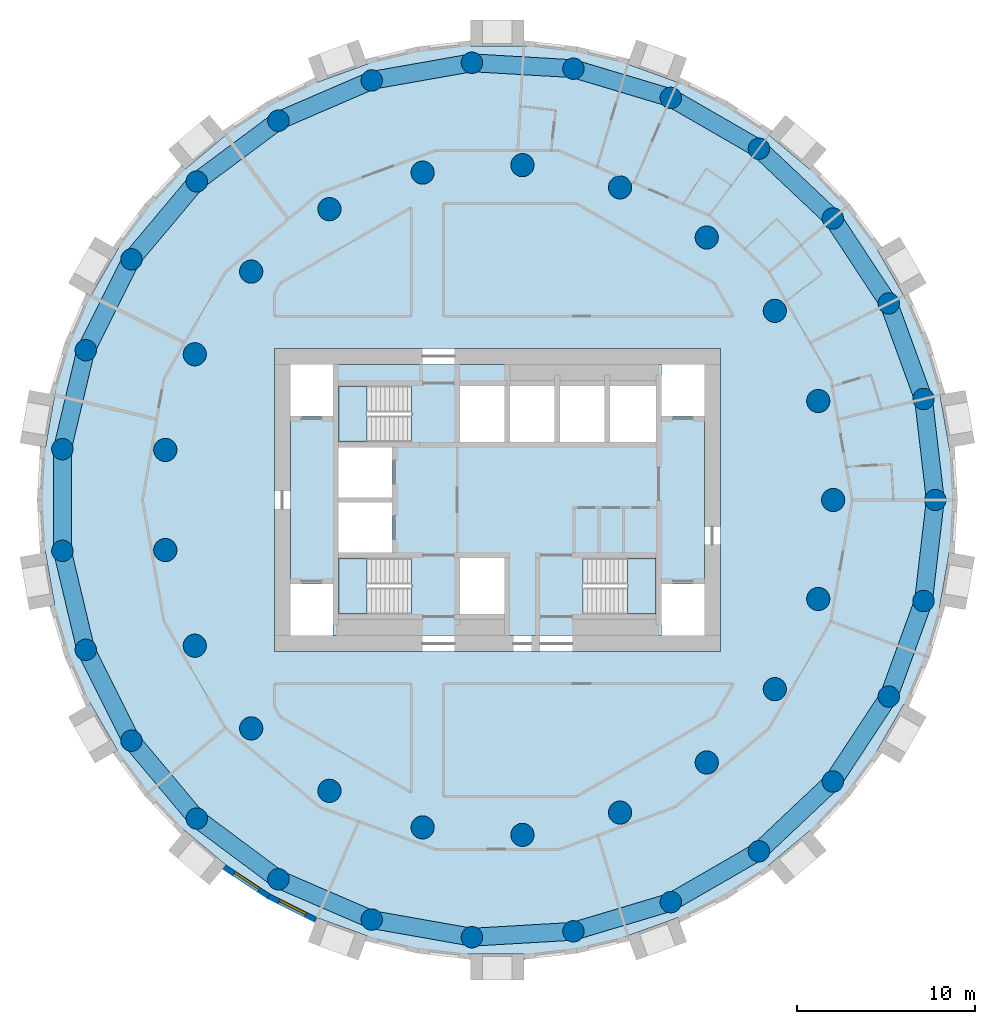
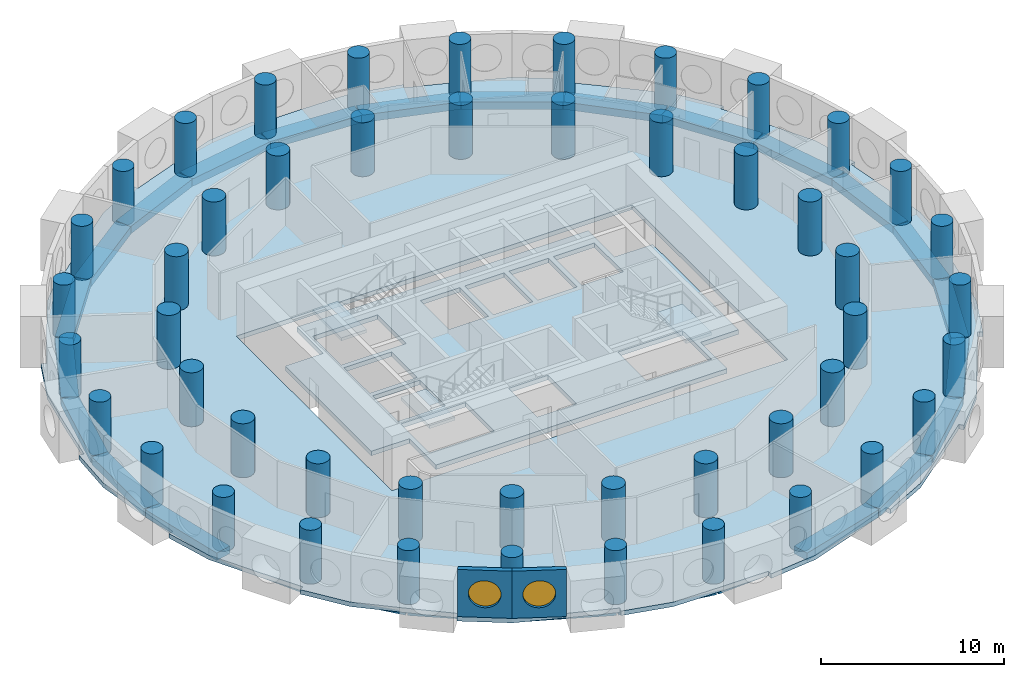
# One storey, part 1 of 9: 48 columns, 27 beams, 5 slabs, 2 walls, 2 windows, 2 openings, 3 elements without a shape of their own.
"""IFC4 building model written with IfcOpenShell, lengths in metres."""

from ifc_helpers import new_model, si_unit, direction, frame, frame_2d, origin, origin_2d, place, context, subcontext, project, spatial, polyline, rectangle, circle, outline, extrude, material, layer, layer_set, material_profile, profile_set, type_object, element, fill, aggregate, save


model = new_model("IFC4")

# Units and contexts
model_context = context("Model", 3, precision=1e-05, world=origin(), true_north=direction((0.0, 1.0)))
body_context = subcontext(model_context, "Body", "Model", "MODEL_VIEW")
ifc_project = project(units=[si_unit("LENGTHUNIT", "METRE"), si_unit("AREAUNIT", "SQUARE_METRE"), si_unit("VOLUMEUNIT", "CUBIC_METRE"), si_unit("PLANEANGLEUNIT", "RADIAN"), si_unit("MASSUNIT", "GRAM", prefix="KILO")], contexts=[model_context])

# Site, building, storey
site_placement = place(None, origin())
site = spatial("IfcSite", under=ifc_project, at=site_placement, CompositionType="ELEMENT")
building_placement = place(site_placement, origin())
building = spatial("IfcBuilding", under=site, at=building_placement, Name="Tracery Tower", CompositionType="ELEMENT")
storey_placement = place(building_placement, frame((0.0, 0.0, 216.0)))
storey = spatial("IfcBuildingStorey", under=building, at=storey_placement, Name="L56", CompositionType="ELEMENT", Elevation=216.0)

# Columns
ifc_material_1 = material(Name="Concrete C50/60", Category="concrete")
ifc_material_profile_1 = material_profile(ifc_material_1, circle(Radius=0.60009765625, at=origin_2d()), Name="RC D1200")
ifc_profile_set_1 = profile_set([ifc_material_profile_1], Name="Concrete C50/60")
column_type_1 = type_object("IfcColumnType", Name="Ring 1 column 1200", PredefinedType="COLUMN", material=ifc_profile_set_1)
for number, where, z_axis, x_axis, name in (
    (1, (24.547607421875, 0.0, 0.0), (0.0, 0.0, 1.0), (1.0, 0.0, 0.0), "Ring 1 column 00 at L56"),
    (2, (23.885986328125, 5.6611328125, 0.0), (0.0, 0.0, 1.0), (1.0, 0.0, 0.0), "Ring 1 column 01 at L56"),
    (3, (21.9365234375, 11.01708984375, 0.0), (0.0, 0.0, 1.0), (1.0, 0.0, 0.0), "Ring 1 column 02 at L56"),
    (4, (18.8046875, 15.779052734375, 0.0), (0.0, 0.0, 1.0), (1.0, 0.0, 0.0), "Ring 1 column 03 at L56"),
    (5, (14.658935546875, 19.690185546875, 0.0), (0.0, 0.0, 1.0), (1.0, 0.0, 0.0), "Ring 1 column 04 at L56"),
    (6, (9.722900390625, 22.5400390625, 0.0), (0.0, 0.0, 1.0), (1.0, 0.0, 0.0), "Ring 1 column 05 at L56"),
    (7, (4.2626953125, 24.1748046875, 0.0), (0.0, 0.0, 1.0), (1.0, 0.0, 0.0), "Ring 1 column 06 at L56"),
    (8, (-1.42724609375, 24.506103515625, 0.0), (0.0, 0.0, 1.0), (1.0, 0.0, 0.0), "Ring 1 column 07 at L56"),
    (9, (-7.040283203125, 23.516357421875, 0.0), (0.0, 0.0, 1.0), (1.0, 0.0, 0.0), "Ring 1 column 08 at L56"),
    (10, (-12.273681640625, 21.2587890625, 0.0), (0.0, 0.0, 1.0), (1.0, 0.0, 0.0), "Ring 1 column 09 at L56"),
    (11, (-16.845703125, 17.855224609375, 0.0), (0.0, 0.0, 1.0), (1.0, 0.0, 0.0), "Ring 1 column 10 at L56"),
    (12, (-20.50927734375, 13.4892578125, 0.0), (0.0, 0.0, 1.0), (1.0, 0.0, 0.0), "Ring 1 column 11 at L56"),
    (13, (-23.0673828125, 8.395751953125, 0.0), (0.0, 0.0, 1.0), (1.0, 0.0, 0.0), "Ring 1 column 12 at L56"),
    (14, (-24.381591796875, 2.849853515625, 0.0), (0.0, 0.0, 1.0), (1.0, 0.0, 0.0), "Ring 1 column 13 at L56"),
    (15, (-24.381591796875, -2.849853515625, 0.0), (0.0, 0.0, 1.0), (1.0, 0.0, 0.0), "Ring 1 column 14 at L56"),
    (16, (-23.0673828125, -8.395751953125, 0.0), (0.0, 0.0, 1.0), (1.0, 0.0, 0.0), "Ring 1 column 15 at L56"),
    (17, (-20.50927734375, -13.4892578125, 0.0), (0.0, 0.0, 1.0), (1.0, 0.0, 0.0), "Ring 1 column 16 at L56"),
    (18, (-16.845703125, -17.85546875, 0.0), (0.0, 0.0, 1.0), (1.0, 0.0, 0.0), "Ring 1 column 17 at L56"),
    (19, (-12.27392578125, -21.2587890625, 0.0), (0.0, 0.0, 1.0), (1.0, 0.0, 0.0), "Ring 1 column 18 at L56"),
    (20, (-7.040283203125, -23.516357421875, 0.0), (0.0, 0.0, 1.0), (1.0, 0.0, 0.0), "Ring 1 column 19 at L56"),
    (21, (-1.42724609375, -24.506103515625, 0.0), (0.0, 0.0, 1.0), (1.0, 0.0, 0.0), "Ring 1 column 20 at L56"),
    (22, (4.2626953125, -24.1748046875, 0.0), (0.0, 0.0, 1.0), (1.0, 0.0, 0.0), "Ring 1 column 21 at L56"),
    (23, (9.722900390625, -22.5400390625, 0.0), (0.0, 0.0, 1.0), (1.0, 0.0, 0.0), "Ring 1 column 22 at L56"),
    (24, (14.658935546875, -19.690185546875, 0.0), (0.0, 0.0, 1.0), (1.0, 0.0, 0.0), "Ring 1 column 23 at L56"),
    (25, (18.8046875, -15.779052734375, 0.0), (0.0, 0.0, 1.0), (1.0, 0.0, 0.0), "Ring 1 column 24 at L56"),
    (26, (21.9365234375, -11.01708984375, 0.0), (0.0, 0.0, 1.0), (1.0, 0.0, 0.0), "Ring 1 column 25 at L56"),
    (27, (23.885986328125, -5.6611328125, 0.0), (0.0, 0.0, 1.0), (1.0, 0.0, 0.0), "Ring 1 column 26 at L56"),
):
    element("IfcColumn", number, at=place(storey_placement, frame(where, z_axis=z_axis, x_axis=x_axis)), inside=storey, type_object=column_type_1, Name=name, PredefinedType="COLUMN", context=body_context, shape_type="SweptSolid", body=[
        extrude(circle(Radius=0.60009765625, at=origin_2d()), origin(), (0.0, 0.0, 1.0), 3.60009765625),
    ])
ifc_material_2 = material(Name="Concrete C50/60", Category="concrete")
ifc_material_profile_2 = material_profile(ifc_material_2, circle(Radius=0.64990234375, at=origin_2d()), Name="RC D1300")
ifc_profile_set_2 = profile_set([ifc_material_profile_2], Name="Concrete C50/60")
column_type_2 = type_object("IfcColumnType", Name="Ring 2 column 1300", PredefinedType="COLUMN", material=ifc_profile_set_2)
for number, where, z_axis, x_axis, name in (
    (28, (18.822265625, 0.0, 0.0), (0.0, 0.0, 1.0), (1.0, 0.0, 0.0), "Ring 2 column 00 at L56"),
    (29, (17.986083984375, 5.5478515625, 0.0), (0.0, 0.0, 1.0), (1.0, 0.0, 0.0), "Ring 2 column 01 at L56"),
    (30, (15.551513671875, 10.602783203125, 0.0), (0.0, 0.0, 1.0), (1.0, 0.0, 0.0), "Ring 2 column 02 at L56"),
    (31, (11.7353515625, 14.7158203125, 0.0), (0.0, 0.0, 1.0), (1.0, 0.0, 0.0), "Ring 2 column 03 at L56"),
    (32, (6.87646484375, 17.52099609375, 0.0), (0.0, 0.0, 1.0), (1.0, 0.0, 0.0), "Ring 2 column 04 at L56"),
    (33, (1.406494140625, 18.76953125, 0.0), (0.0, 0.0, 1.0), (1.0, 0.0, 0.0), "Ring 2 column 05 at L56"),
    (34, (-4.188232421875, 18.350341796875, 0.0), (0.0, 0.0, 1.0), (1.0, 0.0, 0.0), "Ring 2 column 06 at L56"),
    (35, (-9.4111328125, 16.300537109375, 0.0), (0.0, 0.0, 1.0), (1.0, 0.0, 0.0), "Ring 2 column 07 at L56"),
    (36, (-13.797607421875, 12.802490234375, 0.0), (0.0, 0.0, 1.0), (1.0, 0.0, 0.0), "Ring 2 column 08 at L56"),
    (37, (-16.958251953125, 8.16650390625, 0.0), (0.0, 0.0, 1.0), (1.0, 0.0, 0.0), "Ring 2 column 09 at L56"),
    (38, (-18.612060546875, 2.805419921875, 0.0), (0.0, 0.0, 1.0), (1.0, 0.0, 0.0), "Ring 2 column 10 at L56"),
    (39, (-18.612060546875, -2.805419921875, 0.0), (0.0, 0.0, 1.0), (1.0, 0.0, 0.0), "Ring 2 column 11 at L56"),
    (40, (-16.958251953125, -8.166748046875, 0.0), (0.0, 0.0, 1.0), (1.0, 0.0, 0.0), "Ring 2 column 12 at L56"),
    (41, (-13.797607421875, -12.80224609375, 0.0), (0.0, 0.0, 1.0), (1.0, 0.0, 0.0), "Ring 2 column 13 at L56"),
    (42, (-9.4111328125, -16.300537109375, 0.0), (0.0, 0.0, 1.0), (1.0, 0.0, 0.0), "Ring 2 column 14 at L56"),
    (43, (-4.188232421875, -18.350341796875, 0.0), (0.0, 0.0, 1.0), (1.0, 0.0, 0.0), "Ring 2 column 15 at L56"),
    (44, (1.406494140625, -18.76953125, 0.0), (0.0, 0.0, 1.0), (1.0, 0.0, 0.0), "Ring 2 column 16 at L56"),
    (45, (6.87646484375, -17.52099609375, 0.0), (0.0, 0.0, 1.0), (1.0, 0.0, 0.0), "Ring 2 column 17 at L56"),
    (46, (11.7353515625, -14.7158203125, 0.0), (0.0, 0.0, 1.0), (1.0, 0.0, 0.0), "Ring 2 column 18 at L56"),
    (47, (15.551513671875, -10.602783203125, 0.0), (0.0, 0.0, 1.0), (1.0, 0.0, 0.0), "Ring 2 column 19 at L56"),
    (48, (17.986083984375, -5.5478515625, 0.0), (0.0, 0.0, 1.0), (1.0, 0.0, 0.0), "Ring 2 column 20 at L56"),
):
    element("IfcColumn", number, at=place(storey_placement, frame(where, z_axis=z_axis, x_axis=x_axis)), inside=storey, type_object=column_type_2, Name=name, PredefinedType="COLUMN", context=body_context, shape_type="SweptSolid", body=[
        extrude(circle(Radius=0.64990234375, at=origin_2d()), origin(), (0.0, 0.0, 1.0), 3.60009765625),
    ])

# Beams
ifc_material_3 = material(Name="Concrete C50/60", Category="concrete")
ifc_material_profile_3 = material_profile(ifc_material_3, rectangle(XDim=1.0, YDim=0.5, at=origin_2d()), Name="RC 1000x500")
ifc_profile_set_3 = profile_set([ifc_material_profile_3], Name="Concrete C50/60")
beam_type = type_object("IfcBeamType", Name="Perimeter band beam 1000x500", PredefinedType="BEAM", material=ifc_profile_set_3)
for number, where, z_axis, x_axis, name in (
    (49, (24.547607421875, 0.0, -0.550048828125), (-0.116080723252, 0.993239782575, 0.0), (-0.993239782575, -0.116080723252, 0.0), "Perimeter beam 1.00 under L56"),
    (50, (23.885986328125, 5.6611328125, -0.550048828125), (-0.342028502279, 0.939689578334, 0.0), (-0.939689578334, -0.342028502279, 0.0), "Perimeter beam 1.01 under L56"),
):
    element("IfcBeam", number, at=place(storey_placement, frame(where, z_axis=z_axis, x_axis=x_axis)), inside=storey, type_object=beam_type, Name=name, PredefinedType="BEAM", context=body_context, shape_type="SweptSolid", body=[
        extrude(rectangle(XDim=1.0, YDim=0.5, at=origin_2d()), origin(), (0.0, 0.0, 1.0), 5.69970703125),
    ])
for number, where, z_axis, x_axis, name in (
    (51, (21.9365234375, 11.01708984375, -0.550048828125), (-0.549489832182, 0.835500403548, 0.0), (-0.835500403548, -0.549489832182, 0.0), "Perimeter beam 1.02 under L56"),
    (52, (18.8046875, 15.779052734375, -0.550048828125), (-0.727389618263, 0.686224703172, 0.0), (-0.686224703172, -0.727389618263, 0.0), "Perimeter beam 1.03 under L56"),
):
    element("IfcBeam", number, at=place(storey_placement, frame(where, z_axis=z_axis, x_axis=x_axis)), inside=storey, type_object=beam_type, Name=name, PredefinedType="BEAM", context=body_context, shape_type="SweptSolid", body=[
        extrude(rectangle(XDim=1.0, YDim=0.5, at=origin_2d()), origin(), (0.0, 0.0, 1.0), 5.699462890625),
    ])
for number, where, z_axis, x_axis, name in (
    (53, (14.658935546875, 19.690185546875, -0.550048828125), (-0.866022950691, 0.500004248858, 0.0), (-0.500004248858, -0.866022950691, 0.0), "Perimeter beam 1.04 under L56"),
    (54, (9.722900390625, 22.5400390625, -0.550048828125), (-0.957985292634, 0.28681732705, 0.0), (-0.28681732705, -0.957985292634, 0.0), "Perimeter beam 1.05 under L56"),
):
    element("IfcBeam", number, at=place(storey_placement, frame(where, z_axis=z_axis, x_axis=x_axis)), inside=storey, type_object=beam_type, Name=name, PredefinedType="BEAM", context=body_context, shape_type="SweptSolid", body=[
        extrude(rectangle(XDim=1.0, YDim=0.5, at=origin_2d()), origin(), (0.0, 0.0, 1.0), 5.69970703125),
    ])
beam_1_placement = place(storey_placement, frame((4.2626953125, 24.1748046875, -0.550048828125), z_axis=(-0.99830920221, 0.058126902403, 0.0), x_axis=(-0.058126902403, -0.99830920221, 0.0)))
element("IfcBeam", 55, at=beam_1_placement, inside=storey, type_object=beam_type, Name="Perimeter beam 1.06 under L56", PredefinedType="BEAM", context=body_context, shape_type="SweptSolid", body=[
    extrude(rectangle(XDim=1.0, YDim=0.5, at=origin_2d()), origin(), (0.0, 0.0, 1.0), 5.699462890625),
])
beam_2_placement = place(storey_placement, frame((-1.42724609375, 24.506103515625, -0.550048828125), z_axis=(-0.984807266719, -0.173650935552, 0.0), x_axis=(0.173650935552, -0.984807266719, 0.0)))
element("IfcBeam", 56, at=beam_2_placement, inside=storey, type_object=beam_type, Name="Perimeter beam 1.07 under L56", PredefinedType="BEAM", context=body_context, shape_type="SweptSolid", body=[
    extrude(rectangle(XDim=1.0, YDim=0.5, at=origin_2d()), origin(), (0.0, 0.0, 1.0), 5.69970703125),
])
beam_3_placement = place(storey_placement, frame((-7.040283203125, 23.516357421875, -0.550048828125), z_axis=(-0.918209685525, -0.396094652083, 0.0), x_axis=(0.396094652083, -0.918209685525, 0.0)))
element("IfcBeam", 57, at=beam_3_placement, inside=storey, type_object=beam_type, Name="Perimeter beam 1.08 under L56", PredefinedType="BEAM", context=body_context, shape_type="SweptSolid", body=[
    extrude(rectangle(XDim=1.0, YDim=0.5, at=origin_2d()), origin(), (0.0, 0.0, 1.0), 5.699462890625),
])
beam_4_placement = place(storey_placement, frame((-12.273681640625, 21.2587890625, -0.550048828125), z_axis=(-0.802138271299, -0.59713833717, 0.0), x_axis=(0.59713833717, -0.802138271299, 0.0)))
element("IfcBeam", 58, at=beam_4_placement, inside=storey, type_object=beam_type, Name="Perimeter beam 1.09 under L56", PredefinedType="BEAM", context=body_context, shape_type="SweptSolid", body=[
    extrude(rectangle(XDim=1.0, YDim=0.5, at=origin_2d()), origin(), (0.0, 0.0, 1.0), 5.69970703125),
])
beam_5_placement = place(storey_placement, frame((-16.845703125, 17.855224609375, -0.550048828125), z_axis=(-0.642797194343, -0.766036400535, 0.0), x_axis=(0.766036400535, -0.642797194343, 0.0)))
element("IfcBeam", 59, at=beam_5_placement, inside=storey, type_object=beam_type, Name="Perimeter beam 1.10 under L56", PredefinedType="BEAM", context=body_context, shape_type="SweptSolid", body=[
    extrude(rectangle(XDim=1.0, YDim=0.5, at=origin_2d()), origin(), (0.0, 0.0, 1.0), 5.699462890625),
])
beam_6_placement = place(storey_placement, frame((-20.50927734375, 13.4892578125, -0.550048828125), z_axis=(-0.448806280933, -0.893629074166, 0.0), x_axis=(0.893629074166, -0.448806280933, 0.0)))
element("IfcBeam", 60, at=beam_6_placement, inside=storey, type_object=beam_type, Name="Perimeter beam 1.11 under L56", PredefinedType="BEAM", context=body_context, shape_type="SweptSolid", body=[
    extrude(rectangle(XDim=1.0, YDim=0.5, at=origin_2d()), origin(), (0.0, 0.0, 1.0), 5.69970703125),
])
beam_7_placement = place(storey_placement, frame((-23.0673828125, 8.395751953125, -0.550048828125), z_axis=(-0.230583793756, -0.973052472407, 0.0), x_axis=(0.973052472407, -0.230583793756, 0.0)))
element("IfcBeam", 61, at=beam_7_placement, inside=storey, type_object=beam_type, Name="Perimeter beam 1.12 under L56", PredefinedType="BEAM", context=body_context, shape_type="SweptSolid", body=[
    extrude(rectangle(XDim=1.0, YDim=0.5, at=origin_2d()), origin(), (0.0, 0.0, 1.0), 5.699462890625),
])
beam_8_placement = place(storey_placement, frame((-24.381591796875, 2.849853515625, -0.550048828125), z_axis=(0.0, -1.0, 0.0), x_axis=(1.0, 0.0, 0.0)))
element("IfcBeam", 62, at=beam_8_placement, inside=storey, type_object=beam_type, Name="Perimeter beam 1.13 under L56", PredefinedType="BEAM", context=body_context, shape_type="SweptSolid", body=[
    extrude(rectangle(XDim=1.0, YDim=0.5, at=origin_2d()), origin(), (0.0, 0.0, 1.0), 5.69970703125),
])
beam_9_placement = place(storey_placement, frame((-24.381591796875, -2.849853515625, -0.550048828125), z_axis=(0.230583793756, -0.973052472407, 0.0), x_axis=(0.973052472407, 0.230583793756, 0.0)))
element("IfcBeam", 63, at=beam_9_placement, inside=storey, type_object=beam_type, Name="Perimeter beam 1.14 under L56", PredefinedType="BEAM", context=body_context, shape_type="SweptSolid", body=[
    extrude(rectangle(XDim=1.0, YDim=0.5, at=origin_2d()), origin(), (0.0, 0.0, 1.0), 5.699462890625),
])
for number, where, z_axis, x_axis, name in (
    (64, (-23.0673828125, -8.395751953125, -0.550048828125), (0.448806280933, -0.893629074166, 0.0), (0.893629074166, 0.448806280933, 0.0), "Perimeter beam 1.15 under L56"),
    (65, (-20.50927734375, -13.4892578125, -0.550048828125), (0.64277610208, -0.766054099, 0.0), (0.766054099, 0.64277610208, 0.0), "Perimeter beam 1.16 under L56"),
):
    element("IfcBeam", number, at=place(storey_placement, frame(where, z_axis=z_axis, x_axis=x_axis)), inside=storey, type_object=beam_type, Name=name, PredefinedType="BEAM", context=body_context, shape_type="SweptSolid", body=[
        extrude(rectangle(XDim=1.0, YDim=0.5, at=origin_2d()), origin(), (0.0, 0.0, 1.0), 5.69970703125),
    ])
beam_10_placement = place(storey_placement, frame((-16.845703125, -17.85546875, -0.550048828125), z_axis=(0.802143514942, -0.597131293298, 0.0), x_axis=(0.597131293298, 0.802143514942, 0.0)))
element("IfcBeam", 66, at=beam_10_placement, inside=storey, type_object=beam_type, Name="Perimeter beam 1.17 under L56", PredefinedType="BEAM", context=body_context, shape_type="SweptSolid", body=[
    extrude(rectangle(XDim=1.0, YDim=0.5, at=origin_2d()), origin(), (0.0, 0.0, 1.0), 5.699462890625),
])
for number, where, z_axis, x_axis, name in (
    (67, (-12.27392578125, -21.2587890625, -0.550048828125), (0.918216405543, -0.39607907366, 0.0), (0.39607907366, 0.918216405543, 0.0), "Perimeter beam 1.18 under L56"),
    (68, (-7.040283203125, -23.516357421875, -0.550048828125), (0.984807266719, -0.173650935552, 0.0), (0.173650935552, 0.984807266719, 0.0), "Perimeter beam 1.19 under L56"),
):
    element("IfcBeam", number, at=place(storey_placement, frame(where, z_axis=z_axis, x_axis=x_axis)), inside=storey, type_object=beam_type, Name=name, PredefinedType="BEAM", context=body_context, shape_type="SweptSolid", body=[
        extrude(rectangle(XDim=1.0, YDim=0.5, at=origin_2d()), origin(), (0.0, 0.0, 1.0), 5.69970703125),
    ])
beam_11_placement = place(storey_placement, frame((-1.42724609375, -24.506103515625, -0.550048828125), z_axis=(0.99830920221, 0.058126902403, 0.0), x_axis=(-0.058126902403, 0.99830920221, 0.0)))
element("IfcBeam", 69, at=beam_11_placement, inside=storey, type_object=beam_type, Name="Perimeter beam 1.20 under L56", PredefinedType="BEAM", context=body_context, shape_type="SweptSolid", body=[
    extrude(rectangle(XDim=1.0, YDim=0.5, at=origin_2d()), origin(), (0.0, 0.0, 1.0), 5.699462890625),
])
for number, where, z_axis, x_axis, name in (
    (70, (4.2626953125, -24.1748046875, -0.550048828125), (0.957985292634, 0.28681732705, 0.0), (-0.28681732705, 0.957985292634, 0.0), "Perimeter beam 1.21 under L56"),
    (71, (9.722900390625, -22.5400390625, -0.550048828125), (0.866022950691, 0.500004248858, 0.0), (-0.500004248858, 0.866022950691, 0.0), "Perimeter beam 1.22 under L56"),
):
    element("IfcBeam", number, at=place(storey_placement, frame(where, z_axis=z_axis, x_axis=x_axis)), inside=storey, type_object=beam_type, Name=name, PredefinedType="BEAM", context=body_context, shape_type="SweptSolid", body=[
        extrude(rectangle(XDim=1.0, YDim=0.5, at=origin_2d()), origin(), (0.0, 0.0, 1.0), 5.69970703125),
    ])
for number, where, z_axis, x_axis, name in (
    (72, (14.658935546875, -19.690185546875, -0.550048828125), (0.727389618263, 0.686224703172, 0.0), (-0.686224703172, 0.727389618263, 0.0), "Perimeter beam 1.23 under L56"),
    (73, (18.8046875, -15.779052734375, -0.550048828125), (0.549489832182, 0.835500403548, 0.0), (-0.835500403548, 0.549489832182, 0.0), "Perimeter beam 1.24 under L56"),
):
    element("IfcBeam", number, at=place(storey_placement, frame(where, z_axis=z_axis, x_axis=x_axis)), inside=storey, type_object=beam_type, Name=name, PredefinedType="BEAM", context=body_context, shape_type="SweptSolid", body=[
        extrude(rectangle(XDim=1.0, YDim=0.5, at=origin_2d()), origin(), (0.0, 0.0, 1.0), 5.699462890625),
    ])
for number, where, z_axis, x_axis, name in (
    (74, (21.9365234375, -11.01708984375, -0.550048828125), (0.342028502279, 0.939689578334, 0.0), (-0.939689578334, 0.342028502279, 0.0), "Perimeter beam 1.25 under L56"),
    (75, (23.885986328125, -5.6611328125, -0.550048828125), (0.116080723252, 0.993239782575, 0.0), (-0.993239782575, 0.116080723252, 0.0), "Perimeter beam 1.26 under L56"),
):
    element("IfcBeam", number, at=place(storey_placement, frame(where, z_axis=z_axis, x_axis=x_axis)), inside=storey, type_object=beam_type, Name=name, PredefinedType="BEAM", context=body_context, shape_type="SweptSolid", body=[
        extrude(rectangle(XDim=1.0, YDim=0.5, at=origin_2d()), origin(), (0.0, 0.0, 1.0), 5.69970703125),
    ])

# Slabs
ifc_material_4 = material(Name="Concrete C50/60", Category="concrete")
ifc_layer_1 = layer(ifc_material_4, 0.300048828125)
ifc_layer_set_1 = layer_set([ifc_layer_1], Name="Core floor slab 300 C50")
slab_type_1 = type_object("IfcSlabType", Name="Core floor slab 300 C50", PredefinedType="FLOOR", material=ifc_layer_set_1)
slab_1_placement = place(storey_placement, frame((0.0, 0.0, -0.300048828125)))
element("IfcSlab", 76, at=slab_1_placement, inside=storey, type_object=slab_type_1, Name="L56 core floor 1", PredefinedType="FLOOR", context=body_context, shape_type="SweptSolid", body=[
    extrude(outline(polyline([(-9.199951171875, 7.60009765625), (9.199951171875, 7.60009765625), (9.199951171875, 4.699951171875), (11.60009765625, 4.699951171875), (11.60009765625, -4.699951171875), (9.199951171875, -4.699951171875), (9.199951171875, -7.60009765625), (-9.199951171875, -7.60009765625), (-9.199951171875, -4.699951171875), (-11.60009765625, -4.699951171875), (-11.60009765625, 4.699951171875), (-9.199951171875, 4.699951171875), (-9.199951171875, 7.60009765625)]), holes=[polyline([(4.800537109375, -6.39990234375), (8.89990234375, -6.39990234375), (8.89990234375, -3.25), (4.800537109375, -3.25), (4.800537109375, -6.39990234375)]), polyline([(8.89990234375, 3.25), (8.89990234375, 6.39990234375), (6.300048828125, 6.39990234375), (6.300048828125, 3.25), (8.89990234375, 3.25)]), polyline([(6.0, 3.25), (6.0, 6.39990234375), (3.5, 6.39990234375), (3.5, 3.25), (6.0, 3.25)]), polyline([(3.199951171875, 3.25), (3.199951171875, 6.39990234375), (0.699951171875, 6.39990234375), (0.699951171875, 3.25), (3.199951171875, 3.25)]), polyline([(-2.10009765625, 3.25), (0.39990234375, 3.25), (0.39990234375, 6.39990234375), (-2.10009765625, 6.39990234375), (-2.10009765625, 3.25)]), polyline([(0.39990234375, -6.39990234375), (0.39990234375, -3.25), (-2.10009765625, -3.25), (-2.10009765625, -6.39990234375), (0.39990234375, -6.39990234375)]), polyline([(-4.800537109375, -3.25), (-8.89990234375, -3.25), (-8.89990234375, -6.39990234375), (-4.800537109375, -6.39990234375), (-4.800537109375, -3.25)]), polyline([(-4.800537109375, 6.39990234375), (-8.89990234375, 6.39990234375), (-8.89990234375, 3.25), (-4.800537109375, 3.25), (-4.800537109375, 6.39990234375)]), polyline([(-5.89990234375, -2.949951171875), (-5.89990234375, -0.14990234375), (-8.89990234375, -0.14990234375), (-8.89990234375, -2.949951171875), (-5.89990234375, -2.949951171875)]), polyline([(-5.89990234375, 0.14990234375), (-5.89990234375, 2.949951171875), (-8.89990234375, 2.949951171875), (-8.89990234375, 0.14990234375), (-5.89990234375, 0.14990234375)])]), origin(), (0.0, 0.0, 1.0), 0.300048828125),
])
ifc_material_5 = material(Name="Concrete C40/50", Category="concrete")
ifc_layer_2 = layer(ifc_material_5, 0.300048828125)
ifc_layer_set_2 = layer_set([ifc_layer_2], Name="Floor slab 300")
slab_type_2 = type_object("IfcSlabType", Name="Floor slab 300", PredefinedType="FLOOR", material=ifc_layer_set_2)
slab_2_placement = place(storey_placement, frame((0.0, 0.0, -0.300048828125)))
element("IfcSlab", 77, at=slab_2_placement, inside=storey, type_object=slab_type_2, Name="Floor slab L56", PredefinedType="FLOOR", context=body_context, shape_type="SweptSolid", body=[
    extrude(outline(polyline([(25.32470703125, 2.959716796875), (25.07568359375, 4.373291015625), (24.809814453125, 5.880126953125), (24.809814453125, 5.880126953125), (24.806884765625, 5.897216796875), (25.1015625, 5.94921875), (25.102294921875, 5.949462890625), (24.241943359375, 8.8232421875), (22.78515625, 11.443115234375), (21.302490234375, 14.010986328125), (21.302490234375, 14.010986328125), (21.2939453125, 14.026123046875), (21.5537109375, 14.176025390625), (21.5537109375, 14.176025390625), (19.76220703125, 16.58251953125), (17.497314453125, 18.5458984375), (16.89501953125, 19.051513671875), (15.21240234375, 20.463134765625), (15.4052734375, 20.69287109375), (12.89892578125, 22.341552734375), (10.098876953125, 23.411865234375), (7.312744140625, 24.426025390625), (7.312744140625, 24.426025390625), (7.29638671875, 24.431884765625), (7.39892578125, 24.7138671875), (4.479736328125, 25.40576171875), (1.4853515625, 25.4541015625), (-1.5, 25.4541015625), (-1.5, 25.754150390625), (-4.479736328125, 25.40576171875), (-7.312744140625, 24.426025390625), (-10.098876953125, 23.411865234375), (-10.098876953125, 23.411865234375), (-10.115234375, 23.406005859375), (-10.218017578125, 23.68798828125), (-12.898681640625, 22.341552734375), (-15.224609375, 20.453125), (-16.89501953125, 19.051513671875), (-17.497314453125, 18.5458984375), (-17.497314453125, 18.5458984375), (-17.510498046875, 18.534912109375), (-17.703369140625, 18.764404296875), (-17.70361328125, 18.7646484375), (-19.76220703125, 16.58251953125), (-21.302490234375, 14.010986328125), (-22.78515625, 11.443115234375), (-22.78515625, 11.443115234375), (-22.7939453125, 11.427978515625), (-23.0537109375, 11.577880859375), (-23.0537109375, 11.577880859375), (-24.241943359375, 8.8232421875), (-24.809814453125, 5.880126953125), (-25.07568359375, 4.373291015625), (-25.327880859375, 2.94287109375), (-25.622802734375, 2.994873046875), (-25.623291015625, 2.994873046875), (-25.797607421875, 0.0), (-25.32470703125, -2.959716796875), (-25.07568359375, -4.373291015625), (-24.809814453125, -5.880126953125), (-24.809814453125, -5.880126953125), (-24.806884765625, -5.897216796875), (-25.1015625, -5.94921875), (-25.102294921875, -5.949462890625), (-24.241943359375, -8.8232421875), (-22.78515625, -11.443115234375), (-21.302490234375, -14.010986328125), (-21.302490234375, -14.010986328125), (-21.2939453125, -14.026123046875), (-21.5537109375, -14.176025390625), (-21.5537109375, -14.176025390625), (-19.76220703125, -16.58251953125), (-17.497314453125, -18.5458984375), (-16.89501953125, -19.051513671875), (-15.21240234375, -20.463134765625), (-15.4052734375, -20.69287109375), (-12.89892578125, -22.341552734375), (-10.098876953125, -23.411865234375), (-7.312744140625, -24.426025390625), (-7.312744140625, -24.426025390625), (-7.29638671875, -24.431884765625), (-7.39892578125, -24.7138671875), (-4.479736328125, -25.40576171875), (-1.4853515625, -25.4541015625), (1.5, -25.4541015625), (1.5, -25.754150390625), (4.479736328125, -25.40576171875), (7.312744140625, -24.426025390625), (10.098876953125, -23.411865234375), (10.098876953125, -23.411865234375), (10.115234375, -23.406005859375), (10.218017578125, -23.68798828125), (12.89892578125, -22.341552734375), (15.224609375, -20.453125), (16.89501953125, -19.051513671875), (17.497314453125, -18.5458984375), (17.497314453125, -18.5458984375), (17.510498046875, -18.534912109375), (17.703369140625, -18.764404296875), (17.70361328125, -18.7646484375), (19.76220703125, -16.58251953125), (21.302490234375, -14.010986328125), (22.78515625, -11.443115234375), (22.78515625, -11.443115234375), (22.7939453125, -11.427978515625), (23.0537109375, -11.577880859375), (23.0537109375, -11.577880859375), (24.241943359375, -8.8232421875), (24.809814453125, -5.880126953125), (25.07568359375, -4.373291015625), (25.327880859375, -2.94287109375), (25.622802734375, -2.994873046875), (25.623291015625, -2.994873046875), (25.797607421875, 0.0), (25.32470703125, 2.959716796875)]), holes=[polyline([(-12.5, -8.5), (12.5, -8.5), (12.5, 8.5), (-12.5, 8.5), (-12.5, -8.5)])]), origin(), (0.0, 0.0, 1.0), 0.300048828125),
])

# Stair, slab
ifc_material_6 = material(Name="Concrete C32/40", Category="concrete")
stair_type = type_object("IfcStairType", Name="Core stair 22 risers", PredefinedType="HALF_TURN_STAIR", material=ifc_material_6)
stair_1_placement = place(storey_placement, origin())
stair_1 = element("IfcStair", 78, at=stair_1_placement, inside=storey, type_object=stair_type, Name="L56 stair ST1", PredefinedType="HALF_TURN_STAIR")
ifc_material_7 = material(Name="Concrete C32/40", Category="concrete")
ifc_layer_3 = layer(ifc_material_7, 0.199951171875)
ifc_layer_set_3 = layer_set([ifc_layer_3], Name="Stair landing slab 200")
slab_type_3 = type_object("IfcSlabType", Name="Stair landing slab 200", PredefinedType="LANDING", material=ifc_layer_set_3)
slab_3_placement = place(storey_placement, frame((0.0, 0.0, 1.60009765625)))
slab_3 = element("IfcSlab", 79, at=slab_3_placement, type_object=slab_type_3, Name="ST1 landing 1", PredefinedType="LANDING", context=body_context, shape_type="SweptSolid", body=[
    extrude(outline(polyline([(-7.29931640625, -3.25), (-8.89990234375, -3.25), (-8.89990234375, -6.39990234375), (-7.29931640625, -6.39990234375), (-7.29931640625, -3.25)])), origin(), (0.0, 0.0, 1.0), 0.199951171875),
])
aggregate(stair_1, [slab_3])

stair_2_placement = place(storey_placement, origin())
stair_2 = element("IfcStair", 80, at=stair_2_placement, inside=storey, type_object=stair_type, Name="L56 stair ST3", PredefinedType="HALF_TURN_STAIR")
slab_4_placement = place(storey_placement, frame((0.0, 0.0, 1.60009765625)))
slab_4 = element("IfcSlab", 81, at=slab_4_placement, type_object=slab_type_3, Name="ST3 landing 1", PredefinedType="LANDING", context=body_context, shape_type="SweptSolid", body=[
    extrude(outline(polyline([(-7.29931640625, 6.39990234375), (-8.89990234375, 6.39990234375), (-8.89990234375, 3.25), (-7.29931640625, 3.25), (-7.29931640625, 6.39990234375)])), origin(), (0.0, 0.0, 1.0), 0.199951171875),
])
aggregate(stair_2, [slab_4])

stair_3_placement = place(storey_placement, origin())
stair_3 = element("IfcStair", 82, at=stair_3_placement, inside=storey, type_object=stair_type, Name="L56 stair ST2", PredefinedType="HALF_TURN_STAIR")
slab_5_placement = place(storey_placement, frame((0.0, 0.0, 1.60009765625)))
slab_5 = element("IfcSlab", 83, at=slab_5_placement, type_object=slab_type_3, Name="ST2 landing 1", PredefinedType="LANDING", context=body_context, shape_type="SweptSolid", body=[
    extrude(outline(polyline([(7.29931640625, -6.39990234375), (8.89990234375, -6.39990234375), (8.89990234375, -3.25), (7.29931640625, -3.25), (7.29931640625, -6.39990234375)])), origin(), (0.0, 0.0, 1.0), 0.199951171875),
])
aggregate(stair_3, [slab_5])

# Wall, opening, window
ifc_material_8 = material(Name="Precast concrete C50/60", Category="concrete")
ifc_layer_4 = layer(ifc_material_8, 0.300048828125)
ifc_layer_set_4 = layer_set([ifc_layer_4], Name="Facade panel 3000 x 3150")
wall_type = type_object("IfcWallType", Name="Facade panel 3000 x 3150", PredefinedType="SOLIDWALL", material=ifc_layer_set_4)
wall_1_placement = place(storey_placement, frame((-15.3076171875, -20.57763671875, 0.0), z_axis=(0.0, 0.0, 1.0), x_axis=(0.835470659512, -0.549535055382, 0.0)))
wall_1 = element("IfcWall", 84, at=wall_1_placement, inside=storey, type_object=wall_type, Name="Facade panel 36 at L56", PredefinedType="SOLIDWALL", context=body_context, shape_type="SweptSolid", body=[
    extrude(rectangle(XDim=2.97314453125, YDim=0.300048828125, at=frame_2d((1.486572265625, 0.0))), origin(), (0.0, 0.0, 1.0), 3.14990234375),
])
opening_1_placement = place(wall_1_placement, frame((1.486328125, 0.0, 1.5498046875)))
opening_1 = element("IfcOpeningElement", 85, at=opening_1_placement, cuts=wall_1, Name="Opening WN1", PredefinedType="OPENING", context=body_context, shape_type="SweptSolid", body=[
    extrude(circle(Radius=0.9000244140625, at=origin_2d()), frame((0.0, 0.159912109375, 0.0), z_axis=(0.0, -1.0, 0.0), x_axis=(1.0, 0.0, 0.0)), (0.0, 0.0, 1.0), 0.320068359375),
])
ifc_material_9 = material(Name="Aluminium frame with tinted double glazing", Category="aluminium")
window_type = type_object("IfcWindowType", Name="Round window 1800", PartitioningType="SINGLE_PANEL", PredefinedType="WINDOW", material=ifc_material_9)
window_1_placement = place(opening_1_placement, origin())
window_1 = element("IfcWindow", 86, at=window_1_placement, inside=storey, type_object=window_type, Name="Round window 36 at L56", OverallHeight=1.800048828125, OverallWidth=1.800048828125, PartitioningType="SINGLE_PANEL", PredefinedType="WINDOW", context=body_context, shape_type="SweptSolid", body=[
    extrude(circle(Radius=0.9000244140625, at=origin_2d()), frame((0.0, 0.1201171875, 0.0), z_axis=(0.0, -1.0, 0.0), x_axis=(1.0, 0.0, 0.0)), (0.0, 0.0, 1.0), 0.10009765625),
])
fill(opening_1, window_1)

wall_2_placement = place(storey_placement, frame((-12.82373046875, -22.21142578125, 0.0), z_axis=(0.0, 0.0, 1.0), x_axis=(0.893637442555, -0.448789618045, 0.0)))
wall_2 = element("IfcWall", 87, at=wall_2_placement, inside=storey, type_object=wall_type, Name="Facade panel 37 at L56", PredefinedType="SOLIDWALL", context=body_context, shape_type="SweptSolid", body=[
    extrude(rectangle(XDim=2.972900390625, YDim=0.300048828125, at=frame_2d((1.486328125, 0.0))), origin(), (0.0, 0.0, 1.0), 3.14990234375),
])
opening_2_placement = place(wall_2_placement, frame((1.486328125, 0.0, 1.5498046875)))
opening_2 = element("IfcOpeningElement", 88, at=opening_2_placement, cuts=wall_2, Name="Opening WN1", PredefinedType="OPENING", context=body_context, shape_type="SweptSolid", body=[
    extrude(circle(Radius=0.9000244140625, at=origin_2d()), frame((0.0, 0.159912109375, 0.0), z_axis=(0.0, -1.0, 0.0), x_axis=(1.0, 0.0, 0.0)), (0.0, 0.0, 1.0), 0.320068359375),
])
window_2_placement = place(opening_2_placement, origin())
window_2 = element("IfcWindow", 89, at=window_2_placement, inside=storey, type_object=window_type, Name="Round window 37 at L56", OverallHeight=1.800048828125, OverallWidth=1.800048828125, PartitioningType="SINGLE_PANEL", PredefinedType="WINDOW", context=body_context, shape_type="SweptSolid", body=[
    extrude(circle(Radius=0.9000244140625, at=origin_2d()), frame((0.0, 0.1201171875, 0.0), z_axis=(0.0, -1.0, 0.0), x_axis=(1.0, 0.0, 0.0)), (0.0, 0.0, 1.0), 0.10009765625),
])
fill(opening_2, window_2)

save(model, "model.ifc")
